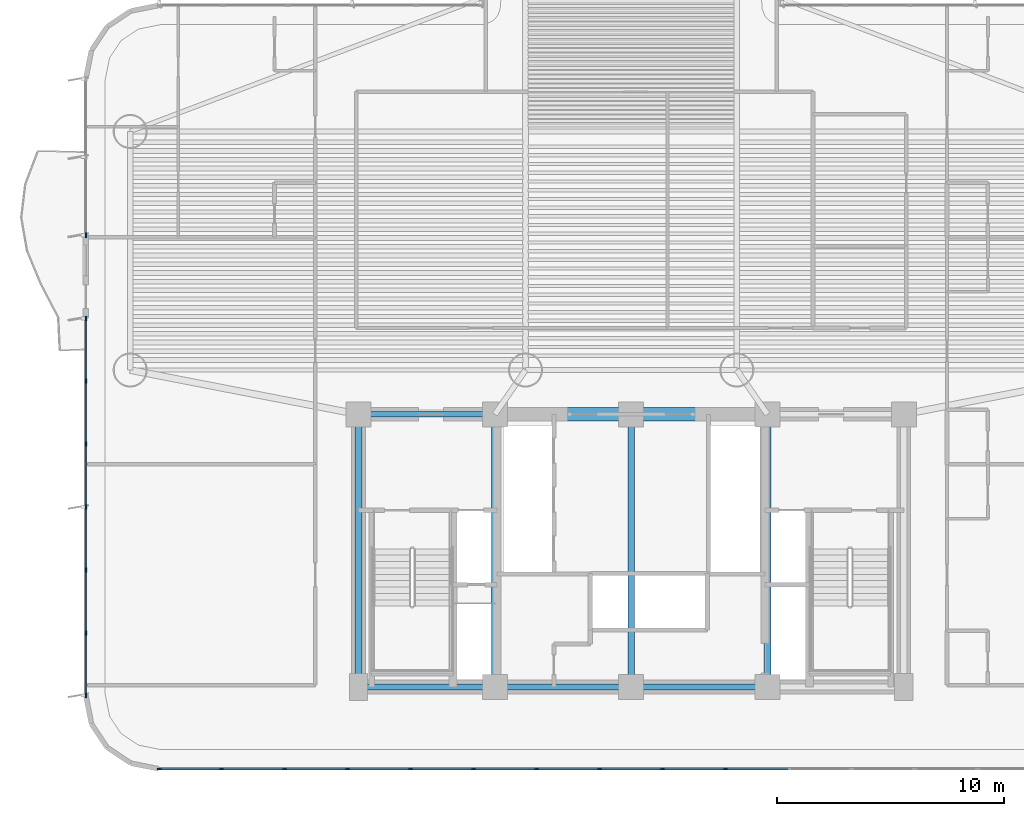
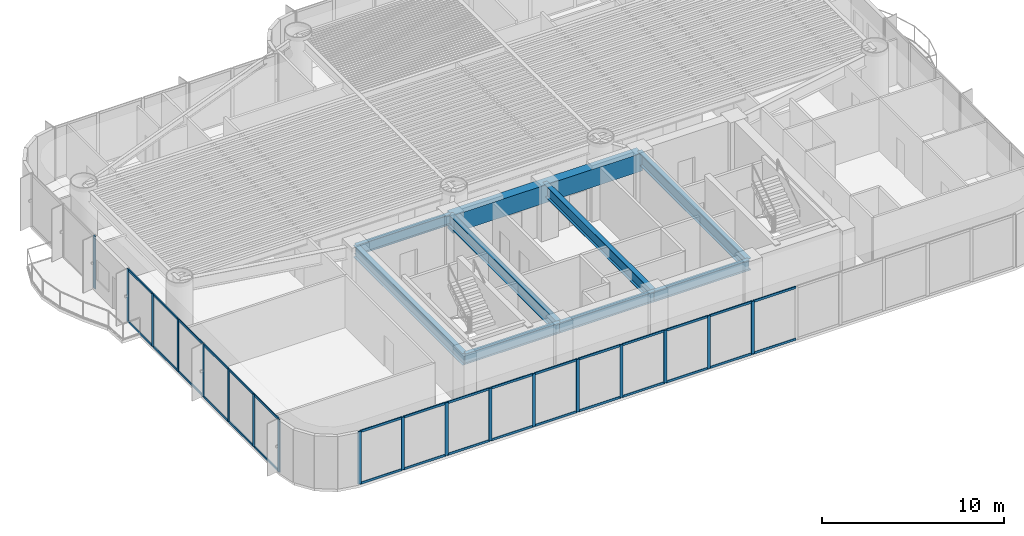
# One storey, part 2 of 18: 50 members, 9 beams, 3 elements without a shape of their own.
"""IFC4 building model written with IfcOpenShell, lengths in metres."""

from ifc_helpers import new_model, si_unit, direction, frame, origin, origin_2d, place, context, subcontext, project, spatial, rectangle, i_section, extrude, source, transform, mapped, material, layer, layer_set, material_profile, profile_set, type_object, element, aggregate, save


model = new_model("IFC4")

# Units and contexts
model_context = context("Model", 3, precision=1e-05, world=origin(), true_north=direction((0.0, 1.0)))
body_context = subcontext(model_context, "Body", "Model", "MODEL_VIEW")
ifc_project = project(units=[si_unit("LENGTHUNIT", "METRE"), si_unit("AREAUNIT", "SQUARE_METRE"), si_unit("VOLUMEUNIT", "CUBIC_METRE"), si_unit("PLANEANGLEUNIT", "RADIAN"), si_unit("MASSUNIT", "GRAM", prefix="KILO")], contexts=[model_context])

# Site, building, storey
site_placement = place(None, origin())
site = spatial("IfcSite", under=ifc_project, at=site_placement, CompositionType="ELEMENT")
building_placement = place(site_placement, origin())
building = spatial("IfcBuilding", under=site, at=building_placement, Name="Brelvock Crest Care Tower", CompositionType="ELEMENT")
storey_placement = place(building_placement, frame((0.0, 0.0, 72.360107421875)))
storey = spatial("IfcBuildingStorey", under=building, at=storey_placement, Name="L18", CompositionType="ELEMENT", Elevation=72.360107421875)

# Beams
ifc_material_1 = material(Name="Concrete S80 (80 MPa)", Category="concrete")
ifc_material_profile_1 = material_profile(ifc_material_1, rectangle(XDim=0.60009765625, YDim=1.199951171875, at=origin_2d()), Name="RC600x1200")
ifc_profile_set_1 = profile_set([ifc_material_profile_1], Name="Concrete S80 (80 MPa)")
beam_type_1 = type_object("IfcBeamType", Name="BM-LN1", PredefinedType="LINTEL", material=ifc_profile_set_1)
shared_shape_1 = source(origin(), body_context, "Body", "SweptSolid", [
    extrude(rectangle(XDim=0.60009765625, YDim=1.199951171875, at=origin_2d()), origin(), (0.0, 0.0, 1.0), 12.0),
])
beam_placement = place(storey_placement, frame((30.0, 18.0, 2.929931640625), z_axis=(1.0, 0.0, 0.0), x_axis=(0.0, 1.0, 0.0)))
element("IfcBeam", 1, at=beam_placement, inside=storey, type_object=beam_type_1, Name="L18 Core Coupling Lintel Beam", PredefinedType="LINTEL", context=body_context, shape_type="MappedRepresentation", body=[
    mapped(shared_shape_1, transform((0.0, 0.0, 0.0), x_axis=(1.0, 0.0, 0.0), y_axis=(0.0, 1.0, 0.0), z_axis=(0.0, 0.0, 1.0), scale=1.0)),
])
ifc_material_2 = material(Name="Steel Grade 350", Category="steel")
ifc_material_profile_2 = material_profile(ifc_material_2, i_section(OverallWidth=0.25, OverallDepth=0.699951171875, WebThickness=0.011962890625, FlangeThickness=0.02001953125, at=origin_2d()), Name="700WB150")
ifc_profile_set_2 = profile_set([ifc_material_profile_2], Name="Steel Grade 350")
beam_type_2 = type_object("IfcBeamType", Name="BM-G4", PredefinedType="BEAM", material=ifc_profile_set_2)
shared_shape_2 = source(origin(), body_context, "Body", "SweptSolid", [
    extrude(i_section(OverallWidth=0.25, OverallDepth=0.699951171875, WebThickness=0.011962890625, FlangeThickness=0.02001953125, at=origin_2d()), origin(), (0.0, 0.0, 1.0), 6.0),
])
for number, where, z_axis, x_axis, name in (
    (2, (24.0, 6.0, 3.179931640625), (1.0, 0.0, 0.0), (0.0, 1.0, 0.0), "BM-CORES-L18-1"),
    (3, (24.0, 18.0, 3.179931640625), (1.0, 0.0, 0.0), (0.0, 1.0, 0.0), "BM-COREN-L18-1"),
    (4, (30.0, 6.0, 3.179931640625), (1.0, 0.0, 0.0), (0.0, 1.0, 0.0), "BM-CORES-L18-2"),
    (5, (36.0, 6.0, 3.179931640625), (1.0, 0.0, 0.0), (0.0, 1.0, 0.0), "BM-CORES-L18-3"),
):
    element("IfcBeam", number, at=place(storey_placement, frame(where, z_axis=z_axis, x_axis=x_axis)), inside=storey, type_object=beam_type_2, Name=name, PredefinedType="BEAM", context=body_context, shape_type="MappedRepresentation", body=[
        mapped(shared_shape_2, transform((0.0, 0.0, 0.0), x_axis=(1.0, 0.0, 0.0), y_axis=(0.0, 1.0, 0.0), z_axis=(0.0, 0.0, 1.0), scale=1.0)),
    ])
ifc_material_profile_3 = material_profile(ifc_material_2, i_section(OverallWidth=0.300048828125, OverallDepth=0.800048828125, WebThickness=0.013916015625, FlangeThickness=0.02197265625, at=origin_2d()), Name="800WB192")
ifc_profile_set_3 = profile_set([ifc_material_profile_3], Name="Steel Grade 350")
beam_type_3 = type_object("IfcBeamType", Name="BM-G5", PredefinedType="BEAM", material=ifc_profile_set_3)
shared_shape_3 = source(origin(), body_context, "Body", "SweptSolid", [
    extrude(i_section(OverallWidth=0.300048828125, OverallDepth=0.800048828125, WebThickness=0.013916015625, FlangeThickness=0.02197265625, at=origin_2d()), origin(), (0.0, 0.0, 1.0), 12.0),
])
for number, where, z_axis, x_axis, name in (
    (6, (24.0, 6.0, 3.1298828125), (0.0, 1.0, 0.0), (-1.0, 0.0, 0.0), "BM-COREX-L18-1"),
    (7, (30.0, 6.0, 3.1298828125), (0.0, 1.0, 0.0), (-1.0, 0.0, 0.0), "BM-COREX-L18-2"),
    (8, (36.0, 6.0, 3.1298828125), (0.0, 1.0, 0.0), (-1.0, 0.0, 0.0), "BM-COREX-L18-3"),
    (9, (42.0, 6.0, 3.1298828125), (0.0, 1.0, 0.0), (-1.0, 0.0, 0.0), "BM-COREX-L18-4"),
):
    element("IfcBeam", number, at=place(storey_placement, frame(where, z_axis=z_axis, x_axis=x_axis)), inside=storey, type_object=beam_type_3, Name=name, PredefinedType="BEAM", context=body_context, shape_type="MappedRepresentation", body=[
        mapped(shared_shape_3, transform((0.0, 0.0, 0.0), x_axis=(1.0, 0.0, 0.0), y_axis=(0.0, 1.0, 0.0), z_axis=(0.0, 0.0, 1.0), scale=1.0)),
    ])

# Curtain wall, members
ifc_material_3 = material(Name="Dark Glass Double Glazed Low-E", Category="glass")
ifc_layer = layer(ifc_material_3, 0.195068359375, Name="CWS-2")
ifc_layer_set = layer_set([ifc_layer], Name="Dark Glass Double Glazed Low-E")
curtain_wall_type = type_object("IfcCurtainWallType", Name="CWS-2", PredefinedType="NOTDEFINED", material=ifc_layer_set)
curtain_wall_1_placement = place(storey_placement, origin())
curtain_wall_1 = element("IfcCurtainWall", 10, at=curtain_wall_1_placement, inside=storey, type_object=curtain_wall_type, Name="L18 Curtain Wall E08", PredefinedType="NOTDEFINED")
ifc_material_4 = material(Name="Aluminium 6063-T6", Category="aluminium")
ifc_material_profile_4 = material_profile(ifc_material_4, rectangle(XDim=0.06494140625, YDim=0.14990234375, at=origin_2d()), Name="ALU65x150")
ifc_profile_set_4 = profile_set([ifc_material_profile_4], Name="Aluminium 6063-T6")
member_type_1 = type_object("IfcMemberType", Name="CWT-1", PredefinedType="USERDEFINED", material=ifc_profile_set_4)
shared_shape_4 = source(origin(), body_context, "Body", "SweptSolid", [
    extrude(rectangle(XDim=0.06494140625, YDim=0.14990234375, at=origin_2d()), origin(), (0.0, 0.0, 1.0), 2.676025390625),
])
member_1_placement = place(storey_placement, frame((17.94091796875, 2.39990234375, 0.032470703125), z_axis=(-1.0, 0.0, 0.0), x_axis=(0.0, -1.0, 0.0)))
member_1 = element("IfcMember", 11, at=member_1_placement, type_object=member_type_1, Name="CW-2 transom 15.1", ObjectType="TRANSOM", PredefinedType="USERDEFINED", context=body_context, shape_type="MappedRepresentation", body=[
    mapped(shared_shape_4, transform((0.0, 0.0, 0.0), x_axis=(1.0, 0.0, 0.0), y_axis=(0.0, 1.0, 0.0), z_axis=(0.0, 0.0, 1.0), scale=1.0)),
])
member_2_placement = place(storey_placement, frame((17.94091796875, 2.39990234375, 3.497314453125), z_axis=(-1.0, 0.0, 0.0), x_axis=(0.0, -1.0, 0.0)))
member_2 = element("IfcMember", 12, at=member_2_placement, type_object=member_type_1, Name="CW-2 transom 15.2", ObjectType="TRANSOM", PredefinedType="USERDEFINED", context=body_context, shape_type="MappedRepresentation", body=[
    mapped(shared_shape_4, transform((0.0, 0.0, 0.0), x_axis=(1.0, 0.0, 0.0), y_axis=(0.0, 1.0, 0.0), z_axis=(0.0, 0.0, 1.0), scale=1.0)),
])
shared_shape_5 = source(origin(), body_context, "Body", "SweptSolid", [
    extrude(rectangle(XDim=0.06494140625, YDim=0.14990234375, at=origin_2d()), origin(), (0.0, 0.0, 1.0), 2.708251953125),
])
member_3_placement = place(storey_placement, frame((40.12744140625, 2.39990234375, 0.032470703125), z_axis=(-1.0, 0.0, 0.0), x_axis=(0.0, -1.0, 0.0)))
member_3 = element("IfcMember", 13, at=member_3_placement, type_object=member_type_1, Name="CW-2 transom 7.1", ObjectType="TRANSOM", PredefinedType="USERDEFINED", context=body_context, shape_type="MappedRepresentation", body=[
    mapped(shared_shape_5, transform((0.0, 0.0, 0.0), x_axis=(1.0, 0.0, 0.0), y_axis=(0.0, 1.0, 0.0), z_axis=(0.0, 0.0, 1.0), scale=1.0)),
])
member_4_placement = place(storey_placement, frame((40.12744140625, 2.39990234375, 3.497314453125), z_axis=(-1.0, 0.0, 0.0), x_axis=(0.0, -1.0, 0.0)))
member_4 = element("IfcMember", 14, at=member_4_placement, type_object=member_type_1, Name="CW-2 transom 7.2", ObjectType="TRANSOM", PredefinedType="USERDEFINED", context=body_context, shape_type="MappedRepresentation", body=[
    mapped(shared_shape_5, transform((0.0, 0.0, 0.0), x_axis=(1.0, 0.0, 0.0), y_axis=(0.0, 1.0, 0.0), z_axis=(0.0, 0.0, 1.0), scale=1.0)),
])
member_5_placement = place(storey_placement, frame((34.580810546875, 2.39990234375, 0.032470703125), z_axis=(-1.0, 0.0, 0.0), x_axis=(0.0, -1.0, 0.0)))
member_5 = element("IfcMember", 15, at=member_5_placement, type_object=member_type_1, Name="CW-2 transom 9.1", ObjectType="TRANSOM", PredefinedType="USERDEFINED", context=body_context, shape_type="MappedRepresentation", body=[
    mapped(shared_shape_5, transform((0.0, 0.0, 0.0), x_axis=(1.0, 0.0, 0.0), y_axis=(0.0, 1.0, 0.0), z_axis=(0.0, 0.0, 1.0), scale=1.0)),
])
member_6_placement = place(storey_placement, frame((34.580810546875, 2.39990234375, 3.497314453125), z_axis=(-1.0, 0.0, 0.0), x_axis=(0.0, -1.0, 0.0)))
member_6 = element("IfcMember", 16, at=member_6_placement, type_object=member_type_1, Name="CW-2 transom 9.2", ObjectType="TRANSOM", PredefinedType="USERDEFINED", context=body_context, shape_type="MappedRepresentation", body=[
    mapped(shared_shape_5, transform((0.0, 0.0, 0.0), x_axis=(1.0, 0.0, 0.0), y_axis=(0.0, 1.0, 0.0), z_axis=(0.0, 0.0, 1.0), scale=1.0)),
])
member_7_placement = place(storey_placement, frame((29.0341796875, 2.39990234375, 0.032470703125), z_axis=(-1.0, 0.0, 0.0), x_axis=(0.0, -1.0, 0.0)))
member_7 = element("IfcMember", 17, at=member_7_placement, type_object=member_type_1, Name="CW-2 transom 11.1", ObjectType="TRANSOM", PredefinedType="USERDEFINED", context=body_context, shape_type="MappedRepresentation", body=[
    mapped(shared_shape_5, transform((0.0, 0.0, 0.0), x_axis=(1.0, 0.0, 0.0), y_axis=(0.0, 1.0, 0.0), z_axis=(0.0, 0.0, 1.0), scale=1.0)),
])
member_8_placement = place(storey_placement, frame((29.0341796875, 2.39990234375, 3.497314453125), z_axis=(-1.0, 0.0, 0.0), x_axis=(0.0, -1.0, 0.0)))
member_8 = element("IfcMember", 18, at=member_8_placement, type_object=member_type_1, Name="CW-2 transom 11.2", ObjectType="TRANSOM", PredefinedType="USERDEFINED", context=body_context, shape_type="MappedRepresentation", body=[
    mapped(shared_shape_5, transform((0.0, 0.0, 0.0), x_axis=(1.0, 0.0, 0.0), y_axis=(0.0, 1.0, 0.0), z_axis=(0.0, 0.0, 1.0), scale=1.0)),
])
member_9_placement = place(storey_placement, frame((26.2607421875, 2.39990234375, 0.032470703125), z_axis=(-1.0, 0.0, 0.0), x_axis=(0.0, -1.0, 0.0)))
member_9 = element("IfcMember", 19, at=member_9_placement, type_object=member_type_1, Name="CW-2 transom 12.1", ObjectType="TRANSOM", PredefinedType="USERDEFINED", context=body_context, shape_type="MappedRepresentation", body=[
    mapped(shared_shape_5, transform((0.0, 0.0, 0.0), x_axis=(1.0, 0.0, 0.0), y_axis=(0.0, 1.0, 0.0), z_axis=(0.0, 0.0, 1.0), scale=1.0)),
])
member_10_placement = place(storey_placement, frame((26.2607421875, 2.39990234375, 3.497314453125), z_axis=(-1.0, 0.0, 0.0), x_axis=(0.0, -1.0, 0.0)))
member_10 = element("IfcMember", 20, at=member_10_placement, type_object=member_type_1, Name="CW-2 transom 12.2", ObjectType="TRANSOM", PredefinedType="USERDEFINED", context=body_context, shape_type="MappedRepresentation", body=[
    mapped(shared_shape_5, transform((0.0, 0.0, 0.0), x_axis=(1.0, 0.0, 0.0), y_axis=(0.0, 1.0, 0.0), z_axis=(0.0, 0.0, 1.0), scale=1.0)),
])
member_11_placement = place(storey_placement, frame((20.714111328125, 2.39990234375, 0.032470703125), z_axis=(-1.0, 0.0, 0.0), x_axis=(0.0, -1.0, 0.0)))
member_11 = element("IfcMember", 21, at=member_11_placement, type_object=member_type_1, Name="CW-2 transom 14.1", ObjectType="TRANSOM", PredefinedType="USERDEFINED", context=body_context, shape_type="MappedRepresentation", body=[
    mapped(shared_shape_5, transform((0.0, 0.0, 0.0), x_axis=(1.0, 0.0, 0.0), y_axis=(0.0, 1.0, 0.0), z_axis=(0.0, 0.0, 1.0), scale=1.0)),
])
member_12_placement = place(storey_placement, frame((20.714111328125, 2.39990234375, 3.497314453125), z_axis=(-1.0, 0.0, 0.0), x_axis=(0.0, -1.0, 0.0)))
member_12 = element("IfcMember", 22, at=member_12_placement, type_object=member_type_1, Name="CW-2 transom 14.2", ObjectType="TRANSOM", PredefinedType="USERDEFINED", context=body_context, shape_type="MappedRepresentation", body=[
    mapped(shared_shape_5, transform((0.0, 0.0, 0.0), x_axis=(1.0, 0.0, 0.0), y_axis=(0.0, 1.0, 0.0), z_axis=(0.0, 0.0, 1.0), scale=1.0)),
])
shared_shape_6 = source(origin(), body_context, "Body", "SweptSolid", [
    extrude(rectangle(XDim=0.06494140625, YDim=0.14990234375, at=origin_2d()), origin(), (0.0, 0.0, 1.0), 2.70849609375),
])
member_13_placement = place(storey_placement, frame((42.90087890625, 2.39990234375, 0.032470703125), z_axis=(-1.0, 0.0, 0.0), x_axis=(0.0, -1.0, 0.0)))
member_13 = element("IfcMember", 23, at=member_13_placement, type_object=member_type_1, Name="CW-2 transom 6.1", ObjectType="TRANSOM", PredefinedType="USERDEFINED", context=body_context, shape_type="MappedRepresentation", body=[
    mapped(shared_shape_6, transform((0.0, 0.0, 0.0), x_axis=(1.0, 0.0, 0.0), y_axis=(0.0, 1.0, 0.0), z_axis=(0.0, 0.0, 1.0), scale=1.0)),
])
member_14_placement = place(storey_placement, frame((42.90087890625, 2.39990234375, 3.497314453125), z_axis=(-1.0, 0.0, 0.0), x_axis=(0.0, -1.0, 0.0)))
member_14 = element("IfcMember", 24, at=member_14_placement, type_object=member_type_1, Name="CW-2 transom 6.2", ObjectType="TRANSOM", PredefinedType="USERDEFINED", context=body_context, shape_type="MappedRepresentation", body=[
    mapped(shared_shape_6, transform((0.0, 0.0, 0.0), x_axis=(1.0, 0.0, 0.0), y_axis=(0.0, 1.0, 0.0), z_axis=(0.0, 0.0, 1.0), scale=1.0)),
])
member_15_placement = place(storey_placement, frame((37.354248046875, 2.39990234375, 0.032470703125), z_axis=(-1.0, 0.0, 0.0), x_axis=(0.0, -1.0, 0.0)))
member_15 = element("IfcMember", 25, at=member_15_placement, type_object=member_type_1, Name="CW-2 transom 8.1", ObjectType="TRANSOM", PredefinedType="USERDEFINED", context=body_context, shape_type="MappedRepresentation", body=[
    mapped(shared_shape_6, transform((0.0, 0.0, 0.0), x_axis=(1.0, 0.0, 0.0), y_axis=(0.0, 1.0, 0.0), z_axis=(0.0, 0.0, 1.0), scale=1.0)),
])
member_16_placement = place(storey_placement, frame((37.354248046875, 2.39990234375, 3.497314453125), z_axis=(-1.0, 0.0, 0.0), x_axis=(0.0, -1.0, 0.0)))
member_16 = element("IfcMember", 26, at=member_16_placement, type_object=member_type_1, Name="CW-2 transom 8.2", ObjectType="TRANSOM", PredefinedType="USERDEFINED", context=body_context, shape_type="MappedRepresentation", body=[
    mapped(shared_shape_6, transform((0.0, 0.0, 0.0), x_axis=(1.0, 0.0, 0.0), y_axis=(0.0, 1.0, 0.0), z_axis=(0.0, 0.0, 1.0), scale=1.0)),
])
member_17_placement = place(storey_placement, frame((31.8076171875, 2.39990234375, 0.032470703125), z_axis=(-1.0, 0.0, 0.0), x_axis=(0.0, -1.0, 0.0)))
member_17 = element("IfcMember", 27, at=member_17_placement, type_object=member_type_1, Name="CW-2 transom 10.1", ObjectType="TRANSOM", PredefinedType="USERDEFINED", context=body_context, shape_type="MappedRepresentation", body=[
    mapped(shared_shape_6, transform((0.0, 0.0, 0.0), x_axis=(1.0, 0.0, 0.0), y_axis=(0.0, 1.0, 0.0), z_axis=(0.0, 0.0, 1.0), scale=1.0)),
])
member_18_placement = place(storey_placement, frame((31.8076171875, 2.39990234375, 3.497314453125), z_axis=(-1.0, 0.0, 0.0), x_axis=(0.0, -1.0, 0.0)))
member_18 = element("IfcMember", 28, at=member_18_placement, type_object=member_type_1, Name="CW-2 transom 10.2", ObjectType="TRANSOM", PredefinedType="USERDEFINED", context=body_context, shape_type="MappedRepresentation", body=[
    mapped(shared_shape_6, transform((0.0, 0.0, 0.0), x_axis=(1.0, 0.0, 0.0), y_axis=(0.0, 1.0, 0.0), z_axis=(0.0, 0.0, 1.0), scale=1.0)),
])
member_19_placement = place(storey_placement, frame((23.487548828125, 2.39990234375, 0.032470703125), z_axis=(-1.0, 0.0, 0.0), x_axis=(0.0, -1.0, 0.0)))
member_19 = element("IfcMember", 29, at=member_19_placement, type_object=member_type_1, Name="CW-2 transom 13.1", ObjectType="TRANSOM", PredefinedType="USERDEFINED", context=body_context, shape_type="MappedRepresentation", body=[
    mapped(shared_shape_6, transform((0.0, 0.0, 0.0), x_axis=(1.0, 0.0, 0.0), y_axis=(0.0, 1.0, 0.0), z_axis=(0.0, 0.0, 1.0), scale=1.0)),
])
member_20_placement = place(storey_placement, frame((23.487548828125, 2.39990234375, 3.497314453125), z_axis=(-1.0, 0.0, 0.0), x_axis=(0.0, -1.0, 0.0)))
member_20 = element("IfcMember", 30, at=member_20_placement, type_object=member_type_1, Name="CW-2 transom 13.2", ObjectType="TRANSOM", PredefinedType="USERDEFINED", context=body_context, shape_type="MappedRepresentation", body=[
    mapped(shared_shape_6, transform((0.0, 0.0, 0.0), x_axis=(1.0, 0.0, 0.0), y_axis=(0.0, 1.0, 0.0), z_axis=(0.0, 0.0, 1.0), scale=1.0)),
])
ifc_material_profile_5 = material_profile(ifc_material_4, rectangle(XDim=0.06494140625, YDim=0.199951171875, at=origin_2d()), Name="ALU65x200")
ifc_profile_set_5 = profile_set([ifc_material_profile_5], Name="Aluminium 6063-T6")
member_type_2 = type_object("IfcMemberType", Name="CWM-1", PredefinedType="MULLION", material=ifc_profile_set_5)
shared_shape_7 = source(origin(), body_context, "Body", "SweptSolid", [
    extrude(rectangle(XDim=0.06494140625, YDim=0.199951171875, at=origin_2d()), origin(), (0.0, 0.0, 1.0), 3.52978515625),
])
member_21_placement = place(storey_placement, frame((40.159912109375, 2.39990234375, 0.0), z_axis=(0.0, 0.0, 1.0), x_axis=(0.0, -1.0, 0.0)))
member_21 = element("IfcMember", 31, at=member_21_placement, type_object=member_type_2, Name="CW-2 mullion 7", PredefinedType="MULLION", context=body_context, shape_type="MappedRepresentation", body=[
    mapped(shared_shape_7, transform((0.0, 0.0, 0.0), x_axis=(1.0, 0.0, 0.0), y_axis=(0.0, 1.0, 0.0), z_axis=(0.0, 0.0, 1.0), scale=1.0)),
])
member_22_placement = place(storey_placement, frame((37.38671875, 2.39990234375, 0.0), z_axis=(0.0, 0.0, 1.0), x_axis=(0.0, -1.0, 0.0)))
member_22 = element("IfcMember", 32, at=member_22_placement, type_object=member_type_2, Name="CW-2 mullion 8", PredefinedType="MULLION", context=body_context, shape_type="MappedRepresentation", body=[
    mapped(shared_shape_7, transform((0.0, 0.0, 0.0), x_axis=(1.0, 0.0, 0.0), y_axis=(0.0, 1.0, 0.0), z_axis=(0.0, 0.0, 1.0), scale=1.0)),
])
member_23_placement = place(storey_placement, frame((34.61328125, 2.39990234375, 0.0), z_axis=(0.0, 0.0, 1.0), x_axis=(0.0, -1.0, 0.0)))
member_23 = element("IfcMember", 33, at=member_23_placement, type_object=member_type_2, Name="CW-2 mullion 9", PredefinedType="MULLION", context=body_context, shape_type="MappedRepresentation", body=[
    mapped(shared_shape_7, transform((0.0, 0.0, 0.0), x_axis=(1.0, 0.0, 0.0), y_axis=(0.0, 1.0, 0.0), z_axis=(0.0, 0.0, 1.0), scale=1.0)),
])
member_24_placement = place(storey_placement, frame((31.840087890625, 2.39990234375, 0.0), z_axis=(0.0, 0.0, 1.0), x_axis=(0.0, -1.0, 0.0)))
member_24 = element("IfcMember", 34, at=member_24_placement, type_object=member_type_2, Name="CW-2 mullion 10", PredefinedType="MULLION", context=body_context, shape_type="MappedRepresentation", body=[
    mapped(shared_shape_7, transform((0.0, 0.0, 0.0), x_axis=(1.0, 0.0, 0.0), y_axis=(0.0, 1.0, 0.0), z_axis=(0.0, 0.0, 1.0), scale=1.0)),
])
member_25_placement = place(storey_placement, frame((29.066650390625, 2.39990234375, 0.0), z_axis=(0.0, 0.0, 1.0), x_axis=(0.0, -1.0, 0.0)))
member_25 = element("IfcMember", 35, at=member_25_placement, type_object=member_type_2, Name="CW-2 mullion 11", PredefinedType="MULLION", context=body_context, shape_type="MappedRepresentation", body=[
    mapped(shared_shape_7, transform((0.0, 0.0, 0.0), x_axis=(1.0, 0.0, 0.0), y_axis=(0.0, 1.0, 0.0), z_axis=(0.0, 0.0, 1.0), scale=1.0)),
])
member_26_placement = place(storey_placement, frame((26.293212890625, 2.39990234375, 0.0), z_axis=(0.0, 0.0, 1.0), x_axis=(0.0, -1.0, 0.0)))
member_26 = element("IfcMember", 36, at=member_26_placement, type_object=member_type_2, Name="CW-2 mullion 12", PredefinedType="MULLION", context=body_context, shape_type="MappedRepresentation", body=[
    mapped(shared_shape_7, transform((0.0, 0.0, 0.0), x_axis=(1.0, 0.0, 0.0), y_axis=(0.0, 1.0, 0.0), z_axis=(0.0, 0.0, 1.0), scale=1.0)),
])
member_27_placement = place(storey_placement, frame((23.52001953125, 2.39990234375, 0.0), z_axis=(0.0, 0.0, 1.0), x_axis=(0.0, -1.0, 0.0)))
member_27 = element("IfcMember", 37, at=member_27_placement, type_object=member_type_2, Name="CW-2 mullion 13", PredefinedType="MULLION", context=body_context, shape_type="MappedRepresentation", body=[
    mapped(shared_shape_7, transform((0.0, 0.0, 0.0), x_axis=(1.0, 0.0, 0.0), y_axis=(0.0, 1.0, 0.0), z_axis=(0.0, 0.0, 1.0), scale=1.0)),
])
member_28_placement = place(storey_placement, frame((20.74658203125, 2.39990234375, 0.0), z_axis=(0.0, 0.0, 1.0), x_axis=(0.0, -1.0, 0.0)))
member_28 = element("IfcMember", 38, at=member_28_placement, type_object=member_type_2, Name="CW-2 mullion 14", PredefinedType="MULLION", context=body_context, shape_type="MappedRepresentation", body=[
    mapped(shared_shape_7, transform((0.0, 0.0, 0.0), x_axis=(1.0, 0.0, 0.0), y_axis=(0.0, 1.0, 0.0), z_axis=(0.0, 0.0, 1.0), scale=1.0)),
])
member_29_placement = place(storey_placement, frame((17.973388671875, 2.39990234375, 0.0), z_axis=(0.0, 0.0, 1.0), x_axis=(0.0, -1.0, 0.0)))
member_29 = element("IfcMember", 39, at=member_29_placement, type_object=member_type_2, Name="CW-2 mullion 15", PredefinedType="MULLION", context=body_context, shape_type="MappedRepresentation", body=[
    mapped(shared_shape_7, transform((0.0, 0.0, 0.0), x_axis=(1.0, 0.0, 0.0), y_axis=(0.0, 1.0, 0.0), z_axis=(0.0, 0.0, 1.0), scale=1.0)),
])
member_30_placement = place(storey_placement, frame((15.232421875, 2.39990234375, 0.0), z_axis=(0.0, 0.0, 1.0), x_axis=(0.0, -1.0, 0.0)))
member_30 = element("IfcMember", 40, at=member_30_placement, type_object=member_type_2, Name="CW-2 mullion 16", PredefinedType="MULLION", context=body_context, shape_type="MappedRepresentation", body=[
    mapped(shared_shape_7, transform((0.0, 0.0, 0.0), x_axis=(1.0, 0.0, 0.0), y_axis=(0.0, 1.0, 0.0), z_axis=(0.0, 0.0, 1.0), scale=1.0)),
])
aggregate(curtain_wall_1, [member_21, member_22, member_23, member_24, member_25, member_26, member_27, member_28, member_29, member_30, member_13, member_14, member_3, member_4, member_15, member_16, member_5, member_6, member_17, member_18, member_7, member_8, member_9, member_10, member_19, member_20, member_11, member_12, member_1, member_2])

curtain_wall_2_placement = place(storey_placement, origin())
curtain_wall_2 = element("IfcCurtainWall", 41, at=curtain_wall_2_placement, inside=storey, type_object=curtain_wall_type, Name="L18 Curtain Wall E13A", PredefinedType="NOTDEFINED")
member_31_placement = place(storey_placement, frame((12.0, 5.632568359375, 0.0), z_axis=(0.0, 0.0, 1.0), x_axis=(-1.0, 0.0, 0.0)))
member_31 = element("IfcMember", 42, at=member_31_placement, type_object=member_type_2, Name="CW-2 mullion 1", PredefinedType="MULLION", context=body_context, shape_type="MappedRepresentation", body=[
    mapped(shared_shape_7, transform((0.0, 0.0, 0.0), x_axis=(1.0, 0.0, 0.0), y_axis=(0.0, 1.0, 0.0), z_axis=(0.0, 0.0, 1.0), scale=1.0)),
])
member_32_placement = place(storey_placement, frame((12.0, 8.375, 0.0), z_axis=(0.0, 0.0, 1.0), x_axis=(-1.0, 0.0, 0.0)))
member_32 = element("IfcMember", 43, at=member_32_placement, type_object=member_type_2, Name="CW-2 mullion 2", PredefinedType="MULLION", context=body_context, shape_type="MappedRepresentation", body=[
    mapped(shared_shape_7, transform((0.0, 0.0, 0.0), x_axis=(1.0, 0.0, 0.0), y_axis=(0.0, 1.0, 0.0), z_axis=(0.0, 0.0, 1.0), scale=1.0)),
])
member_33_placement = place(storey_placement, frame((12.0, 11.14990234375, 0.0), z_axis=(0.0, 0.0, 1.0), x_axis=(-1.0, 0.0, 0.0)))
member_33 = element("IfcMember", 44, at=member_33_placement, type_object=member_type_2, Name="CW-2 mullion 3", PredefinedType="MULLION", context=body_context, shape_type="MappedRepresentation", body=[
    mapped(shared_shape_7, transform((0.0, 0.0, 0.0), x_axis=(1.0, 0.0, 0.0), y_axis=(0.0, 1.0, 0.0), z_axis=(0.0, 0.0, 1.0), scale=1.0)),
])
member_34_placement = place(storey_placement, frame((12.0, 13.925048828125, 0.0), z_axis=(0.0, 0.0, 1.0), x_axis=(-1.0, 0.0, 0.0)))
member_34 = element("IfcMember", 45, at=member_34_placement, type_object=member_type_2, Name="CW-2 mullion 4", PredefinedType="MULLION", context=body_context, shape_type="MappedRepresentation", body=[
    mapped(shared_shape_7, transform((0.0, 0.0, 0.0), x_axis=(1.0, 0.0, 0.0), y_axis=(0.0, 1.0, 0.0), z_axis=(0.0, 0.0, 1.0), scale=1.0)),
])
member_35_placement = place(storey_placement, frame((12.0, 16.699951171875, 0.0), z_axis=(0.0, 0.0, 1.0), x_axis=(-1.0, 0.0, 0.0)))
member_35 = element("IfcMember", 46, at=member_35_placement, type_object=member_type_2, Name="CW-2 mullion 5", PredefinedType="MULLION", context=body_context, shape_type="MappedRepresentation", body=[
    mapped(shared_shape_7, transform((0.0, 0.0, 0.0), x_axis=(1.0, 0.0, 0.0), y_axis=(0.0, 1.0, 0.0), z_axis=(0.0, 0.0, 1.0), scale=1.0)),
])
member_36_placement = place(storey_placement, frame((12.0, 19.47509765625, 0.0), z_axis=(0.0, 0.0, 1.0), x_axis=(-1.0, 0.0, 0.0)))
member_36 = element("IfcMember", 47, at=member_36_placement, type_object=member_type_2, Name="CW-2 mullion 6", PredefinedType="MULLION", context=body_context, shape_type="MappedRepresentation", body=[
    mapped(shared_shape_7, transform((0.0, 0.0, 0.0), x_axis=(1.0, 0.0, 0.0), y_axis=(0.0, 1.0, 0.0), z_axis=(0.0, 0.0, 1.0), scale=1.0)),
])
member_37_placement = place(storey_placement, frame((12.0, 22.217529296875, 0.0), z_axis=(0.0, 0.0, 1.0), x_axis=(-1.0, 0.0, 0.0)))
member_37 = element("IfcMember", 48, at=member_37_placement, type_object=member_type_2, Name="CW-2 mullion 7", PredefinedType="MULLION", context=body_context, shape_type="MappedRepresentation", body=[
    mapped(shared_shape_7, transform((0.0, 0.0, 0.0), x_axis=(1.0, 0.0, 0.0), y_axis=(0.0, 1.0, 0.0), z_axis=(0.0, 0.0, 1.0), scale=1.0)),
])

# Curtain wall, member
curtain_wall_3_placement = place(storey_placement, origin())
curtain_wall_3 = element("IfcCurtainWall", 49, at=curtain_wall_3_placement, inside=storey, type_object=curtain_wall_type, Name="L18 Curtain Wall E13B", PredefinedType="NOTDEFINED")
member_38_placement = place(storey_placement, frame((12.0, 25.882568359375, 0.0), z_axis=(0.0, 0.0, 1.0), x_axis=(-1.0, 0.0, 0.0)))
member_38 = element("IfcMember", 50, at=member_38_placement, type_object=member_type_2, Name="CW-2 mullion 1", PredefinedType="MULLION", context=body_context, shape_type="MappedRepresentation", body=[
    mapped(shared_shape_7, transform((0.0, 0.0, 0.0), x_axis=(1.0, 0.0, 0.0), y_axis=(0.0, 1.0, 0.0), z_axis=(0.0, 0.0, 1.0), scale=1.0)),
])
aggregate(curtain_wall_3, [member_38])

# Member
shared_shape_8 = source(origin(), body_context, "Body", "SweptSolid", [
    extrude(rectangle(XDim=0.06494140625, YDim=0.14990234375, at=origin_2d()), origin(), (0.0, 0.0, 1.0), 2.677490234375),
])
member_39_placement = place(storey_placement, frame((12.0, 5.6650390625, 0.032470703125), z_axis=(0.0, 1.0, 0.0), x_axis=(-1.0, 0.0, 0.0)))
member_39 = element("IfcMember", 51, at=member_39_placement, type_object=member_type_1, Name="CW-2 transom 1.1", ObjectType="TRANSOM", PredefinedType="USERDEFINED", context=body_context, shape_type="MappedRepresentation", body=[
    mapped(shared_shape_8, transform((0.0, 0.0, 0.0), x_axis=(1.0, 0.0, 0.0), y_axis=(0.0, 1.0, 0.0), z_axis=(0.0, 0.0, 1.0), scale=1.0)),
])

member_40_placement = place(storey_placement, frame((12.0, 5.6650390625, 3.497314453125), z_axis=(0.0, 1.0, 0.0), x_axis=(-1.0, 0.0, 0.0)))
member_40 = element("IfcMember", 52, at=member_40_placement, type_object=member_type_1, Name="CW-2 transom 1.2", ObjectType="TRANSOM", PredefinedType="USERDEFINED", context=body_context, shape_type="MappedRepresentation", body=[
    mapped(shared_shape_8, transform((0.0, 0.0, 0.0), x_axis=(1.0, 0.0, 0.0), y_axis=(0.0, 1.0, 0.0), z_axis=(0.0, 0.0, 1.0), scale=1.0)),
])

member_41_placement = place(storey_placement, frame((12.0, 19.507568359375, 0.032470703125), z_axis=(0.0, 1.0, 0.0), x_axis=(-1.0, 0.0, 0.0)))
member_41 = element("IfcMember", 53, at=member_41_placement, type_object=member_type_1, Name="CW-2 transom 6.1", ObjectType="TRANSOM", PredefinedType="USERDEFINED", context=body_context, shape_type="MappedRepresentation", body=[
    mapped(shared_shape_8, transform((0.0, 0.0, 0.0), x_axis=(1.0, 0.0, 0.0), y_axis=(0.0, 1.0, 0.0), z_axis=(0.0, 0.0, 1.0), scale=1.0)),
])

member_42_placement = place(storey_placement, frame((12.0, 19.507568359375, 3.497314453125), z_axis=(0.0, 1.0, 0.0), x_axis=(-1.0, 0.0, 0.0)))
member_42 = element("IfcMember", 54, at=member_42_placement, type_object=member_type_1, Name="CW-2 transom 6.2", ObjectType="TRANSOM", PredefinedType="USERDEFINED", context=body_context, shape_type="MappedRepresentation", body=[
    mapped(shared_shape_8, transform((0.0, 0.0, 0.0), x_axis=(1.0, 0.0, 0.0), y_axis=(0.0, 1.0, 0.0), z_axis=(0.0, 0.0, 1.0), scale=1.0)),
])

shared_shape_9 = source(origin(), body_context, "Body", "SweptSolid", [
    extrude(rectangle(XDim=0.06494140625, YDim=0.14990234375, at=origin_2d()), origin(), (0.0, 0.0, 1.0), 2.7099609375),
])
member_43_placement = place(storey_placement, frame((12.0, 8.407470703125, 0.032470703125), z_axis=(0.0, 1.0, 0.0), x_axis=(-1.0, 0.0, 0.0)))
member_43 = element("IfcMember", 55, at=member_43_placement, type_object=member_type_1, Name="CW-2 transom 2.1", ObjectType="TRANSOM", PredefinedType="USERDEFINED", context=body_context, shape_type="MappedRepresentation", body=[
    mapped(shared_shape_9, transform((0.0, 0.0, 0.0), x_axis=(1.0, 0.0, 0.0), y_axis=(0.0, 1.0, 0.0), z_axis=(0.0, 0.0, 1.0), scale=1.0)),
])

member_44_placement = place(storey_placement, frame((12.0, 8.407470703125, 3.497314453125), z_axis=(0.0, 1.0, 0.0), x_axis=(-1.0, 0.0, 0.0)))
member_44 = element("IfcMember", 56, at=member_44_placement, type_object=member_type_1, Name="CW-2 transom 2.2", ObjectType="TRANSOM", PredefinedType="USERDEFINED", context=body_context, shape_type="MappedRepresentation", body=[
    mapped(shared_shape_9, transform((0.0, 0.0, 0.0), x_axis=(1.0, 0.0, 0.0), y_axis=(0.0, 1.0, 0.0), z_axis=(0.0, 0.0, 1.0), scale=1.0)),
])

member_45_placement = place(storey_placement, frame((12.0, 11.1826171875, 0.032470703125), z_axis=(0.0, 1.0, 0.0), x_axis=(-1.0, 0.0, 0.0)))
member_45 = element("IfcMember", 57, at=member_45_placement, type_object=member_type_1, Name="CW-2 transom 3.1", ObjectType="TRANSOM", PredefinedType="USERDEFINED", context=body_context, shape_type="MappedRepresentation", body=[
    mapped(shared_shape_9, transform((0.0, 0.0, 0.0), x_axis=(1.0, 0.0, 0.0), y_axis=(0.0, 1.0, 0.0), z_axis=(0.0, 0.0, 1.0), scale=1.0)),
])

member_46_placement = place(storey_placement, frame((12.0, 11.1826171875, 3.497314453125), z_axis=(0.0, 1.0, 0.0), x_axis=(-1.0, 0.0, 0.0)))
member_46 = element("IfcMember", 58, at=member_46_placement, type_object=member_type_1, Name="CW-2 transom 3.2", ObjectType="TRANSOM", PredefinedType="USERDEFINED", context=body_context, shape_type="MappedRepresentation", body=[
    mapped(shared_shape_9, transform((0.0, 0.0, 0.0), x_axis=(1.0, 0.0, 0.0), y_axis=(0.0, 1.0, 0.0), z_axis=(0.0, 0.0, 1.0), scale=1.0)),
])

member_47_placement = place(storey_placement, frame((12.0, 13.95751953125, 0.032470703125), z_axis=(0.0, 1.0, 0.0), x_axis=(-1.0, 0.0, 0.0)))
member_47 = element("IfcMember", 59, at=member_47_placement, type_object=member_type_1, Name="CW-2 transom 4.1", ObjectType="TRANSOM", PredefinedType="USERDEFINED", context=body_context, shape_type="MappedRepresentation", body=[
    mapped(shared_shape_9, transform((0.0, 0.0, 0.0), x_axis=(1.0, 0.0, 0.0), y_axis=(0.0, 1.0, 0.0), z_axis=(0.0, 0.0, 1.0), scale=1.0)),
])

member_48_placement = place(storey_placement, frame((12.0, 13.95751953125, 3.497314453125), z_axis=(0.0, 1.0, 0.0), x_axis=(-1.0, 0.0, 0.0)))
member_48 = element("IfcMember", 60, at=member_48_placement, type_object=member_type_1, Name="CW-2 transom 4.2", ObjectType="TRANSOM", PredefinedType="USERDEFINED", context=body_context, shape_type="MappedRepresentation", body=[
    mapped(shared_shape_9, transform((0.0, 0.0, 0.0), x_axis=(1.0, 0.0, 0.0), y_axis=(0.0, 1.0, 0.0), z_axis=(0.0, 0.0, 1.0), scale=1.0)),
])

member_49_placement = place(storey_placement, frame((12.0, 16.732421875, 0.032470703125), z_axis=(0.0, 1.0, 0.0), x_axis=(-1.0, 0.0, 0.0)))
member_49 = element("IfcMember", 61, at=member_49_placement, type_object=member_type_1, Name="CW-2 transom 5.1", ObjectType="TRANSOM", PredefinedType="USERDEFINED", context=body_context, shape_type="MappedRepresentation", body=[
    mapped(shared_shape_9, transform((0.0, 0.0, 0.0), x_axis=(1.0, 0.0, 0.0), y_axis=(0.0, 1.0, 0.0), z_axis=(0.0, 0.0, 1.0), scale=1.0)),
])

member_50_placement = place(storey_placement, frame((12.0, 16.732421875, 3.497314453125), z_axis=(0.0, 1.0, 0.0), x_axis=(-1.0, 0.0, 0.0)))
member_50 = element("IfcMember", 62, at=member_50_placement, type_object=member_type_1, Name="CW-2 transom 5.2", ObjectType="TRANSOM", PredefinedType="USERDEFINED", context=body_context, shape_type="MappedRepresentation", body=[
    mapped(shared_shape_9, transform((0.0, 0.0, 0.0), x_axis=(1.0, 0.0, 0.0), y_axis=(0.0, 1.0, 0.0), z_axis=(0.0, 0.0, 1.0), scale=1.0)),
])

aggregate(curtain_wall_2, [member_31, member_32, member_33, member_34, member_35, member_36, member_37, member_39, member_40, member_43, member_44, member_45, member_46, member_47, member_48, member_49, member_50, member_41, member_42])

save(model, "model.ifc")
